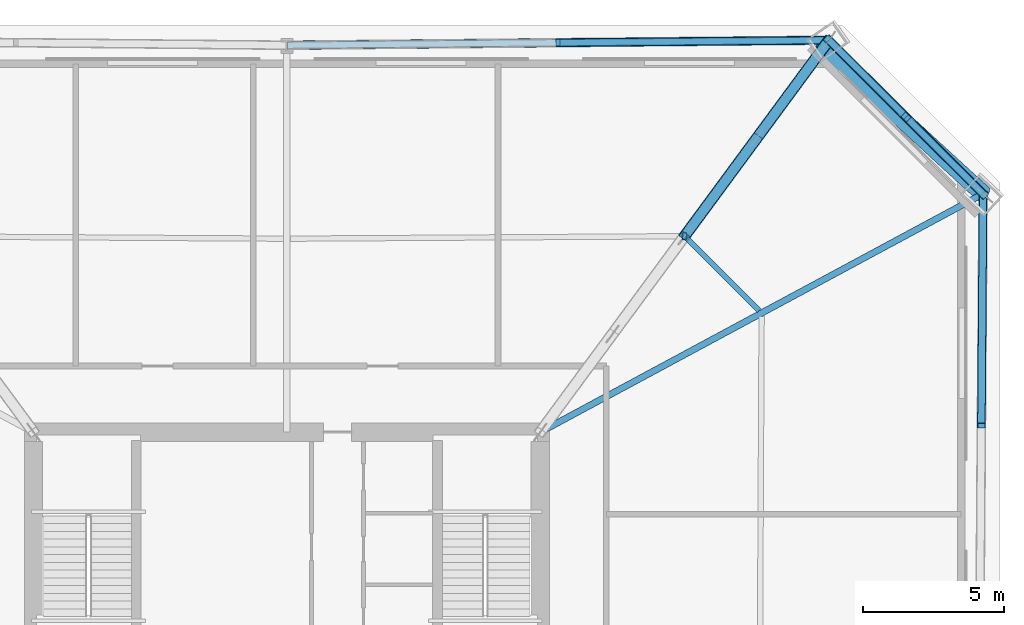
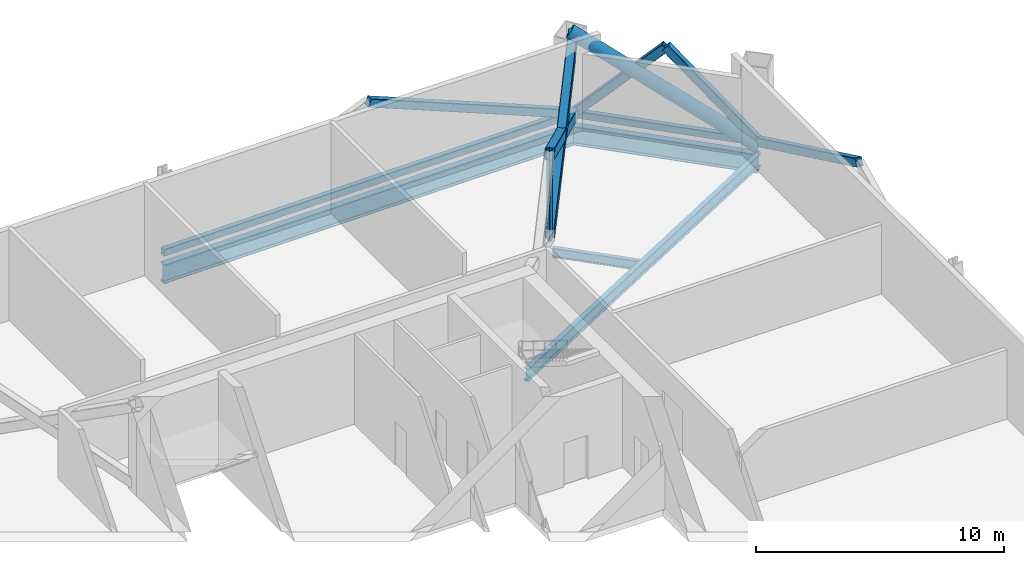
# One storey, part 8 of 14: 11 members, 4 beams.
"""IFC4 building model written with IfcOpenShell, lengths in metres."""

from ifc_helpers import new_model, si_unit, direction, frame, origin, origin_2d, place, context, subcontext, project, spatial, hollow_rectangle, hollow_circle, i_section, extrude, material, material_profile, profile_set, type_object, element, save


model = new_model("IFC4")

# Units and contexts
model_context = context("Model", 3, precision=1e-05, world=origin(), true_north=direction((0.0, 1.0)))
body_context = subcontext(model_context, "Body", "Model", "MODEL_VIEW")
ifc_project = project(units=[si_unit("LENGTHUNIT", "METRE"), si_unit("AREAUNIT", "SQUARE_METRE"), si_unit("VOLUMEUNIT", "CUBIC_METRE"), si_unit("PLANEANGLEUNIT", "RADIAN"), si_unit("MASSUNIT", "GRAM", prefix="KILO")], contexts=[model_context])

# Site, building, storey
site_placement = place(None, origin())
site = spatial("IfcSite", under=ifc_project, at=site_placement, CompositionType="ELEMENT")
building_placement = place(site_placement, origin())
building = spatial("IfcBuilding", under=site, at=building_placement, Name="Caelvoria Tower", CompositionType="ELEMENT")
storey_placement = place(building_placement, frame((0.0, 0.0, 85.60009765625)))
storey = spatial("IfcBuildingStorey", under=building, at=storey_placement, Name="L22", CompositionType="ELEMENT", Elevation=85.60009765625)

# Members
ifc_material_1 = material(Name="Structural Steel ASTM A572 Gr.50", Category="steel")
ifc_material_profile_1 = material_profile(ifc_material_1, hollow_rectangle(XDim=0.25, YDim=0.35009765625, WallThickness=0.013916015625, InnerFilletRadius=0.013916015625, OuterFilletRadius=0.028076171875, at=origin_2d()), Name="Structural Steel ASTM A572 Gr.50")
ifc_profile_set_1 = profile_set([ifc_material_profile_1], Name="HSS350X250X14 - Structural Steel ASTM A572 Gr.50")
member_type_1 = type_object("IfcMemberType", Name="Belt Truss Chord Member HSS350X250X14", PredefinedType="CHORD", material=ifc_profile_set_1)
member_1_placement = place(storey_placement, frame((70.73388671875, 48.4677734375, 0.25), z_axis=(-0.708242693493, 0.705969041186, 0.0), x_axis=(-0.705969041186, -0.708242693493, 0.0)))
element("IfcMember", 1, at=member_1_placement, inside=storey, type_object=member_type_1, Name="Belt Truss Bottom Chord L22-05", PredefinedType="CHORD", context=body_context, shape_type="SweptSolid", body=[
    extrude(hollow_rectangle(XDim=0.25, YDim=0.35009765625, WallThickness=0.013916015625, InnerFilletRadius=0.013916015625, OuterFilletRadius=0.028076171875, at=origin_2d()), origin(), (0.0, 0.0, 1.0), 7.731201171875),
])
member_2_placement = place(storey_placement, frame((65.25830078125, 53.92578125, 0.25), z_axis=(-0.999956710946, -0.009304635098, 0.0), x_axis=(0.009304635098, -0.999956710946, 0.0)))
element("IfcMember", 2, at=member_2_placement, inside=storey, type_object=member_type_1, Name="Belt Truss Bottom Chord L22-06", PredefinedType="CHORD", context=body_context, shape_type="SweptSolid", body=[
    extrude(hollow_rectangle(XDim=0.25, YDim=0.35009765625, WallThickness=0.013916015625, InnerFilletRadius=0.013916015625, OuterFilletRadius=0.028076171875, at=origin_2d()), origin(), (0.0, 0.0, 1.0), 19.259033203125),
])
ifc_material_profile_2 = material_profile(ifc_material_1, hollow_rectangle(XDim=0.300048828125, YDim=0.39990234375, WallThickness=0.01611328125, InnerFilletRadius=0.01611328125, OuterFilletRadius=0.031982421875, at=origin_2d()), Name="Structural Steel ASTM A572 Gr.50")
ifc_profile_set_2 = profile_set([ifc_material_profile_2], Name="HSS400X300X16 - Structural Steel ASTM A572 Gr.50")
member_type_2 = type_object("IfcMemberType", Name="Belt Truss Diagonal HSS400X300X16", PredefinedType="BRACE", material=ifc_profile_set_2)
member_3_placement = place(storey_placement, frame((70.673583984375, 40.23388671875, 4.22998046875), z_axis=(0.006593681882, 0.900317875093, -0.435183004203), x_axis=(-0.999973182594, 0.007323530098, 0.0)))
element("IfcMember", 3, at=member_3_placement, inside=storey, type_object=member_type_2, Name="Belt Truss Diagonal L22-04B", PredefinedType="BRACE", context=body_context, shape_type="SweptSolid", body=[
    extrude(hollow_rectangle(XDim=0.300048828125, YDim=0.39990234375, WallThickness=0.01611328125, InnerFilletRadius=0.01611328125, OuterFilletRadius=0.031982421875, at=origin_2d()), origin(), (0.0, 0.0, 1.0), 9.1455078125),
])
for number, where, z_axis, x_axis, name in (
    (4, (70.73388671875, 48.4677734375, 0.25), (-0.493450508145, 0.491866397365, 0.717338165132), (-0.705969041186, -0.708242693493, 0.0), "Belt Truss Diagonal L22-05A"),
    (5, (67.99609375, 51.19677734375, 4.22998046875), (-0.493450508145, 0.491866397365, -0.717338165132), (-0.705969041186, -0.708242693493, 0.0), "Belt Truss Diagonal L22-05B"),
):
    element("IfcMember", number, at=place(storey_placement, frame(where, z_axis=z_axis, x_axis=x_axis)), inside=storey, type_object=member_type_2, Name=name, PredefinedType="BRACE", context=body_context, shape_type="SweptSolid", body=[
        extrude(hollow_rectangle(XDim=0.300048828125, YDim=0.39990234375, WallThickness=0.01611328125, InnerFilletRadius=0.01611328125, OuterFilletRadius=0.031982421875, at=origin_2d()), origin(), (0.0, 0.0, 1.0), 5.54833984375),
    ])
member_4_placement = place(storey_placement, frame((65.25830078125, 53.92578125, 0.25), z_axis=(-0.924135026447, -0.00859911145, 0.381969250301), x_axis=(0.009304635098, -0.999956710946, 0.0)))
element("IfcMember", 6, at=member_4_placement, inside=storey, type_object=member_type_2, Name="Belt Truss Diagonal L22-06A", PredefinedType="BRACE", context=body_context, shape_type="SweptSolid", body=[
    extrude(hollow_rectangle(XDim=0.300048828125, YDim=0.39990234375, WallThickness=0.01611328125, InnerFilletRadius=0.01611328125, OuterFilletRadius=0.031982421875, at=origin_2d()), origin(), (0.0, 0.0, 1.0), 10.419677734375),
])
ifc_material_profile_3 = material_profile(ifc_material_1, hollow_circle(Radius=0.304931640625, WallThickness=0.02490234375, at=origin_2d()), Name="Structural Steel ASTM A572 Gr.50")
ifc_profile_set_3 = profile_set([ifc_material_profile_3], Name="CHS610X25 - Structural Steel ASTM A572 Gr.50")
member_type_3 = type_object("IfcMemberType", Name="Lower Perimeter Mega Brace CHS610X25", PredefinedType="BRACE", material=ifc_profile_set_3)
member_5_placement = place(storey_placement, frame((70.73388671875, 48.4677734375, 0.0), z_axis=(-0.638523775391, 0.586524071803, 0.498273922111), x_axis=(-0.676483009384, -0.736458239152, 0.0)))
element("IfcMember", 7, at=member_5_placement, inside=storey, type_object=member_type_3, Name="Perimeter Chamfer Mega Brace L22 NE", PredefinedType="BRACE", context=body_context, shape_type="SweptSolid", body=[
    extrude(hollow_circle(Radius=0.304931640625, WallThickness=0.02490234375, at=origin_2d()), origin(), (0.0, 0.0, 1.0), 8.990966796875),
])
ifc_material_profile_4 = material_profile(ifc_material_1, hollow_rectangle(XDim=0.39990234375, YDim=0.5, WallThickness=0.02197265625, InnerFilletRadius=0.02197265625, OuterFilletRadius=0.0439453125, at=origin_2d()), Name="Structural Steel ASTM A572 Gr.50")
ifc_profile_set_4 = profile_set([ifc_material_profile_4], Name="HSS500X400X22 - Structural Steel ASTM A572 Gr.50")
member_type_4 = type_object("IfcMemberType", Name="Outrigger Diagonal HSS500X400X22", PredefinedType="BRACE", material=ifc_profile_set_4)
member_6_placement = place(storey_placement, frame((60.129150390625, 46.962890625, 0.25), z_axis=(0.538776675709, 0.731396581999, 0.418065465629), x_axis=(-0.805133172892, 0.593094068348, 0.0)))
element("IfcMember", 8, at=member_6_placement, inside=storey, type_object=member_type_4, Name="Outrigger Truss Diagonal L22-NE-2A", PredefinedType="BRACE", context=body_context, shape_type="SweptSolid", body=[
    extrude(hollow_rectangle(XDim=0.39990234375, YDim=0.5, WallThickness=0.02197265625, InnerFilletRadius=0.02197265625, OuterFilletRadius=0.0439453125, at=origin_2d()), origin(), (0.0, 0.0, 1.0), 9.52001953125),
])
for number, where, z_axis, x_axis, name in (
    (9, (60.129150390625, 46.962890625, 4.22998046875), (0.538758474541, 0.731406687638, -0.418071242001), (-0.805146653518, 0.593075767781, 0.0), "Outrigger Truss Diagonal L22-NE-2B1"),
    (10, (62.693603515625, 50.4443359375, 2.239990234375), (0.538794876123, 0.731386476298, -0.418059689222), (-0.805119692301, 0.593112367996, 0.0), "Outrigger Truss Diagonal L22-NE-2B2"),
):
    element("IfcMember", number, at=place(storey_placement, frame(where, z_axis=z_axis, x_axis=x_axis)), inside=storey, type_object=member_type_4, Name=name, PredefinedType="BRACE", context=body_context, shape_type="SweptSolid", body=[
        extrude(hollow_rectangle(XDim=0.39990234375, YDim=0.5, WallThickness=0.02197265625, InnerFilletRadius=0.02197265625, OuterFilletRadius=0.0439453125, at=origin_2d()), origin(), (0.0, 0.0, 1.0), 4.760009765625),
    ])

# Beams
ifc_material_2 = material(Name="Structural Steel ASTM A992 Gr.50", Category="steel")
ifc_material_profile_5 = material_profile(ifc_material_2, i_section(OverallWidth=0.30810546875, OverallDepth=0.927001953125, WebThickness=0.019287109375, FlangeThickness=0.031982421875, FilletRadius=0.02392578125, at=origin_2d()), Name="Structural Steel ASTM A992 Gr.50")
ifc_profile_set_5 = profile_set([ifc_material_profile_5], Name="W920X289 - Structural Steel ASTM A992 Gr.50")
beam_type_1 = type_object("IfcBeamType", Name="Outrigger Tie Girder W920X289", PredefinedType="BEAM", material=ifc_profile_set_5)
beam_1_placement = place(storey_placement, frame((70.73388671875, 48.4677734375, -0.78369140625), z_axis=(-0.708242693493, 0.705969041186, 0.0), x_axis=(-0.705969041186, -0.708242693493, 0.0)))
element("IfcBeam", 11, at=beam_1_placement, inside=storey, type_object=beam_type_1, Name="Perimeter Spandrel Girder L22-05", PredefinedType="BEAM", context=body_context, shape_type="SweptSolid", body=[
    extrude(i_section(OverallWidth=0.30810546875, OverallDepth=0.927001953125, WebThickness=0.019287109375, FlangeThickness=0.031982421875, FilletRadius=0.02392578125, at=origin_2d()), origin(), (0.0, 0.0, 1.0), 7.731201171875),
])
beam_2_placement = place(storey_placement, frame((65.25830078125, 53.92578125, -0.78369140625), z_axis=(-0.999956710946, -0.009304635098, 0.0), x_axis=(0.009304635098, -0.999956710946, 0.0)))
element("IfcBeam", 12, at=beam_2_placement, inside=storey, type_object=beam_type_1, Name="Perimeter Spandrel Girder L22-06", PredefinedType="BEAM", context=body_context, shape_type="SweptSolid", body=[
    extrude(i_section(OverallWidth=0.30810546875, OverallDepth=0.927001953125, WebThickness=0.019287109375, FlangeThickness=0.031982421875, FilletRadius=0.02392578125, at=origin_2d()), origin(), (0.0, 0.0, 1.0), 19.259033203125),
])
ifc_material_profile_6 = material_profile(ifc_material_2, i_section(OverallWidth=0.22900390625, OverallDepth=0.612060546875, WebThickness=0.011962890625, FlangeThickness=0.01953125, FilletRadius=0.01806640625, at=origin_2d()), Name="Structural Steel ASTM A992 Gr.50")
ifc_profile_set_6 = profile_set([ifc_material_profile_6], Name="W610X125 - Structural Steel ASTM A992 Gr.50")
beam_type_2 = type_object("IfcBeamType", Name="Primary Radial Floor Girder W610X125", PredefinedType="BEAM", material=ifc_profile_set_6)
beam_3_placement = place(storey_placement, frame((55.0, 40.0, -0.6259765625), z_axis=(0.880571990925, 0.473912406251, 0.0), x_axis=(-0.473912406251, 0.880571990925, 0.0)))
element("IfcBeam", 13, at=beam_3_placement, inside=storey, type_object=beam_type_2, Name="Primary Floor Girder L22-05", PredefinedType="BEAM", context=body_context, shape_type="SweptSolid", body=[
    extrude(i_section(OverallWidth=0.22900390625, OverallDepth=0.612060546875, WebThickness=0.011962890625, FlangeThickness=0.01953125, FilletRadius=0.01806640625, at=origin_2d()), origin(), (0.0, 0.0, 1.0), 17.867919921875),
])
ifc_material_profile_7 = material_profile(ifc_material_2, i_section(OverallWidth=0.18994140625, OverallDepth=0.45703125, WebThickness=0.009033203125, FlangeThickness=0.014404296875, FilletRadius=0.014892578125, at=origin_2d()), Name="Structural Steel ASTM A992 Gr.50")
ifc_profile_set_7 = profile_set([ifc_material_profile_7], Name="W460X74 - Structural Steel ASTM A992 Gr.50")
beam_type_3 = type_object("IfcBeamType", Name="Secondary Floor Beam W460X74", PredefinedType="BEAM", material=ifc_profile_set_7)
beam_4_placement = place(storey_placement, frame((62.778564453125, 44.322021484375, -0.548583984375), z_axis=(-0.70825363913, 0.705958060128, 0.0), x_axis=(-0.705958060128, -0.70825363913, 0.0)))
element("IfcBeam", 14, at=beam_4_placement, inside=storey, type_object=beam_type_3, Name="Secondary Floor Beam L22-05", PredefinedType="BEAM", context=body_context, shape_type="SweptSolid", body=[
    extrude(i_section(OverallWidth=0.18994140625, OverallDepth=0.45703125, WebThickness=0.009033203125, FlangeThickness=0.014404296875, FilletRadius=0.014892578125, at=origin_2d()), origin(), (0.0, 0.0, 1.0), 3.615966796875),
])

# Member
ifc_material_profile_8 = material_profile(ifc_material_1, hollow_rectangle(XDim=0.14990234375, YDim=0.25, WallThickness=0.010009765625, InnerFilletRadius=0.010009765625, OuterFilletRadius=0.02001953125, at=origin_2d()), Name="Structural Steel ASTM A572 Gr.50")
ifc_profile_set_8 = profile_set([ifc_material_profile_8], Name="HSS250X150X10 - Structural Steel ASTM A572 Gr.50")
member_type_5 = type_object("IfcMemberType", Name="Sky Pool Truss Post HSS250X150X10", PredefinedType="POST", material=ifc_profile_set_8)
member_7_placement = place(storey_placement, frame((60.129150390625, 46.962890625, 0.0), z_axis=(0.0, 0.0, 1.0), x_axis=(1.0, 0.0, 0.0)))
element("IfcMember", 15, at=member_7_placement, inside=storey, type_object=member_type_5, Name="Outrigger Mid-Panel Post L22-NE", PredefinedType="POST", context=body_context, shape_type="SweptSolid", body=[
    extrude(hollow_rectangle(XDim=0.14990234375, YDim=0.25, WallThickness=0.010009765625, InnerFilletRadius=0.010009765625, OuterFilletRadius=0.02001953125, at=origin_2d()), origin(), (0.0, 0.0, 1.0), 4.47998046875),
])

save(model, "model.ifc")
